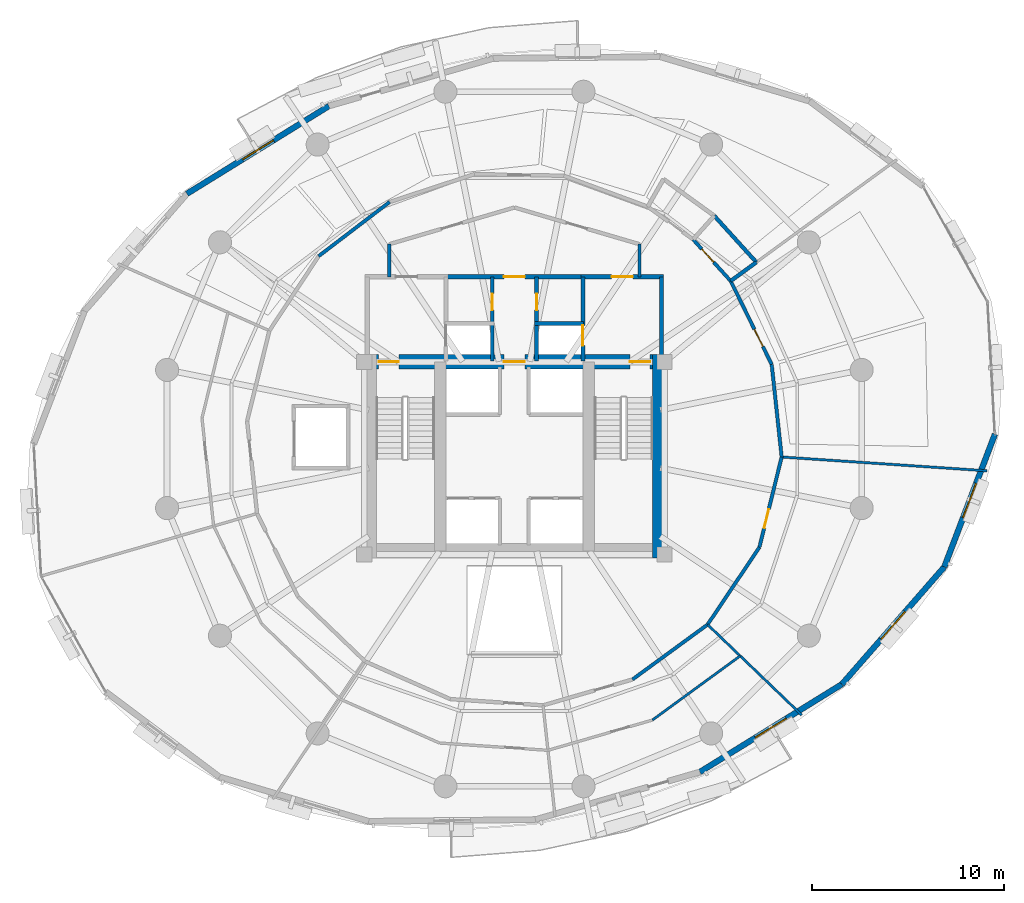
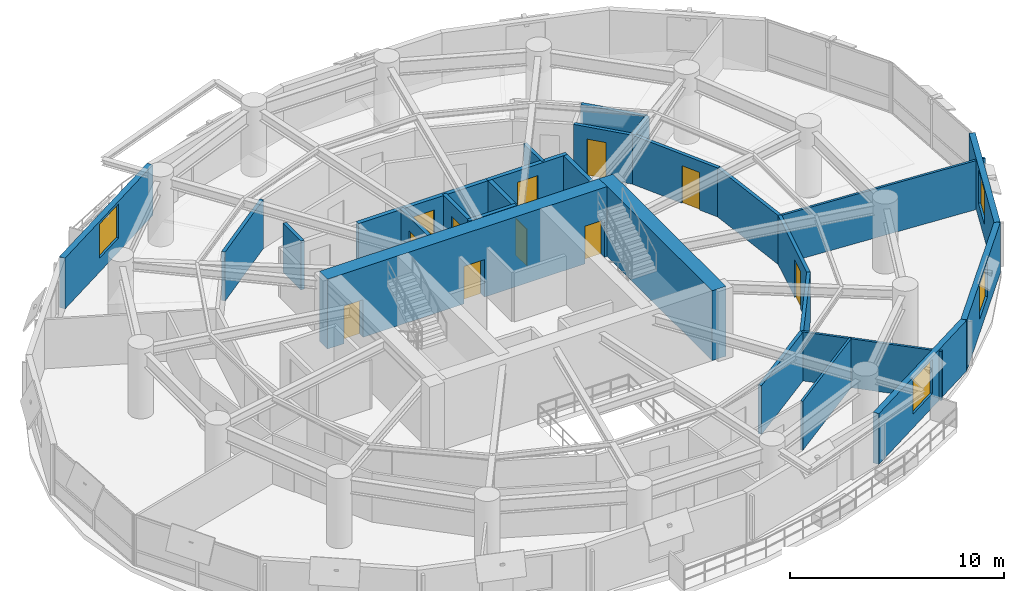
# One storey, part 11 of 15: 27 walls, 11 doors, 4 windows, 15 openings.
"""IFC4 building model written with IfcOpenShell, lengths in metres."""

from ifc_helpers import new_model, si_unit, direction, frame, frame_2d, origin, place, context, subcontext, project, spatial, rectangle, extrude, material, layer, layer_set, type_object, element, fill, save


model = new_model("IFC4")

# Units and contexts
model_context = context("Model", 3, precision=1e-05, world=origin(), true_north=direction((0.0, 1.0)))
body_context = subcontext(model_context, "Body", "Model", "MODEL_VIEW")
ifc_project = project(units=[si_unit("LENGTHUNIT", "METRE"), si_unit("AREAUNIT", "SQUARE_METRE"), si_unit("VOLUMEUNIT", "CUBIC_METRE"), si_unit("PLANEANGLEUNIT", "RADIAN"), si_unit("MASSUNIT", "GRAM", prefix="KILO"), si_unit("THERMODYNAMICTEMPERATUREUNIT", "KELVIN"), si_unit("POWERUNIT", "WATT")], contexts=[model_context])

# Site, building, storey
site_placement = place(None, origin())
site = spatial("IfcSite", under=ifc_project, at=site_placement, CompositionType="ELEMENT")
building_placement = place(site_placement, origin())
building = spatial("IfcBuilding", under=site, at=building_placement, Name="Ocrelia Relay Tower", CompositionType="ELEMENT")
storey_placement = place(building_placement, frame((0.0, 0.0, 101.800048828125)))
storey = spatial("IfcBuildingStorey", under=building, at=storey_placement, Name="L23", CompositionType="ELEMENT", Elevation=101.800048828125)

# Wall, openings, doors
ifc_material_1 = material(Name="Concrete C60/75", Category="concrete")
ifc_layer_1 = layer(ifc_material_1, 0.75, Name="Concrete C60/75")
ifc_layer_set_1 = layer_set([ifc_layer_1], Name="Concrete C60/75")
wall_type_1 = type_object("IfcWallType", Name="CW-CORE-750", PredefinedType="SHEAR", material=ifc_layer_set_1)
wall_1_placement = place(storey_placement, frame((26.072021484375, 30.012939453125, 0.0), z_axis=(0.0, 0.0, 1.0), x_axis=(1.0, 0.0, 0.0)))
wall_1 = element("IfcWall", 1, at=wall_1_placement, inside=storey, type_object=wall_type_1, Name="L23 Core Shear Wall N", PredefinedType="SHEAR", context=body_context, shape_type="SweptSolid", body=[
    extrude(rectangle(XDim=15.865966796875, YDim=0.75, at=frame_2d((7.93310546875, 0.0))), origin(), (0.0, 0.0, 1.0), 4.0),
])
opening_1_placement = place(wall_1_placement, frame((0.8779296875, 0.0, 0.0)))
opening_1 = element("IfcOpeningElement", 2, at=opening_1_placement, cuts=wall_1, Name="Opening D-FD90", PredefinedType="OPENING", context=body_context, shape_type="SweptSolid", body=[
    extrude(rectangle(XDim=1.050048828125, YDim=2.14990234375, at=frame_2d((0.52490234375, 1.074951171875))), frame((0.0, 0.385009765625, 0.0), z_axis=(0.0, -1.0, 0.0), x_axis=(1.0, 0.0, 0.0)), (0.0, 0.0, 1.0), 0.77001953125),
])
opening_2_placement = place(wall_1_placement, frame((13.927978515625, 0.0, 0.0)))
opening_2 = element("IfcOpeningElement", 3, at=opening_2_placement, cuts=wall_1, Name="Opening D-FD90", PredefinedType="OPENING", context=body_context, shape_type="SweptSolid", body=[
    extrude(rectangle(XDim=1.050048828125, YDim=2.14990234375, at=frame_2d((0.52490234375, 1.074951171875))), frame((0.0, 0.385009765625, 0.0), z_axis=(0.0, -1.0, 0.0), x_axis=(1.0, 0.0, 0.0)), (0.0, 0.0, 1.0), 0.77001953125),
])
opening_3_placement = place(wall_1_placement, frame((7.3779296875, 0.0, 0.0)))
opening_3 = element("IfcOpeningElement", 4, at=opening_3_placement, cuts=wall_1, Name="Opening D-FD60", PredefinedType="OPENING", context=body_context, shape_type="SweptSolid", body=[
    extrude(rectangle(XDim=1.10009765625, YDim=2.14990234375, at=frame_2d((0.550048828125, 1.074951171875))), frame((0.0, 0.385009765625, 0.0), z_axis=(0.0, -1.0, 0.0), x_axis=(1.0, 0.0, 0.0)), (0.0, 0.0, 1.0), 0.77001953125),
])
ifc_material_2 = material(Name="Timber-core 60-min acoustic fire door", Category="wood")
door_type_1 = type_object("IfcDoorType", Name="DR-LOBBY-FD60-1100", OperationType="NOTDEFINED", PredefinedType="DOOR", material=ifc_material_2)
door_1_placement = place(opening_3_placement, origin())
door_1 = element("IfcDoor", 5, at=door_1_placement, inside=storey, type_object=door_type_1, Name="L23 Core Lift Lobby North Fire Door", OperationType="SINGLE_SWING_LEFT", OverallHeight=2.14990234375, OverallWidth=1.10009765625, PredefinedType="DOOR", context=body_context, shape_type="SweptSolid", body=[
    extrude(rectangle(XDim=1.10009765625, YDim=2.14990234375, at=frame_2d((0.550048828125, 1.074951171875))), frame((0.0, 0.02490234375, 0.0), z_axis=(0.0, -1.0, 0.0), x_axis=(1.0, 0.0, 0.0)), (0.0, 0.0, 1.0), 0.050048828125),
])
fill(opening_3, door_1)
ifc_material_3 = material(Name="Steel S355 90-min fire door", Category="steel")
door_type_2 = type_object("IfcDoorType", Name="DR-STAIR-FD90-1050", OperationType="NOTDEFINED", PredefinedType="DOOR", material=ifc_material_3)
door_2_placement = place(opening_1_placement, origin())
door_2 = element("IfcDoor", 6, at=door_2_placement, inside=storey, type_object=door_type_2, Name="L23 Stair ST1 Fire Door", OperationType="SINGLE_SWING_LEFT", OverallHeight=2.14990234375, OverallWidth=1.050048828125, PredefinedType="DOOR", context=body_context, shape_type="SweptSolid", body=[
    extrude(rectangle(XDim=1.050048828125, YDim=2.14990234375, at=frame_2d((0.52490234375, 1.074951171875))), frame((0.0, 0.02490234375, 0.0), z_axis=(0.0, -1.0, 0.0), x_axis=(1.0, 0.0, 0.0)), (0.0, 0.0, 1.0), 0.050048828125),
])
fill(opening_1, door_2)
door_3_placement = place(opening_2_placement, origin())
door_3 = element("IfcDoor", 7, at=door_3_placement, inside=storey, type_object=door_type_2, Name="L23 Stair ST2 Fire Door", OperationType="SINGLE_SWING_RIGHT", OverallHeight=2.14990234375, OverallWidth=1.050048828125, PredefinedType="DOOR", context=body_context, shape_type="SweptSolid", body=[
    extrude(rectangle(XDim=1.050048828125, YDim=2.14990234375, at=frame_2d((0.52490234375, 1.074951171875))), frame((0.0, 0.02490234375, 0.0), z_axis=(0.0, -1.0, 0.0), x_axis=(1.0, 0.0, 0.0)), (0.0, 0.0, 1.0), 0.050048828125),
])
fill(opening_2, door_3)

# Walls
wall_2_placement = place(storey_placement, frame((41.56298828125, 19.81201171875, 0.0), z_axis=(0.0, 0.0, 1.0), x_axis=(0.0, 1.0, 0.0)))
element("IfcWall", 8, at=wall_2_placement, inside=storey, type_object=wall_type_1, Name="L23 Core Shear Wall E", PredefinedType="SHEAR", context=body_context, shape_type="SweptSolid", body=[
    extrude(rectangle(XDim=10.575927734375, YDim=0.75, at=frame_2d((5.2880859375, 0.0))), origin(), (0.0, 0.0, 1.0), 4.0),
])
ifc_material_4 = material(Name="Gypsum Fireboard Partition EI60", Category="gypsum")
ifc_layer_2 = layer(ifc_material_4, 0.179931640625, Name="Gypsum Fireboard Partition EI60")
ifc_layer_set_2 = layer_set([ifc_layer_2], Name="Gypsum Fireboard Partition EI60")
wall_type_2 = type_object("IfcWallType", Name="W-CORR-EI60-180", PredefinedType="PARTITIONING", material=ifc_layer_set_2)
for number, where, z_axis, x_axis, name in (
    (9, (27.5, 34.429931640625, 0.0), (0.0, 0.0, 1.0), (0.0, 1.0, 0.0), "L23 Smoke Lobby West Return"),
    (10, (40.5, 36.122802734375, 0.0), (0.0, 0.0, 1.0), (0.0, -1.0, 0.0), "L23 Smoke Lobby East Return"),
):
    element("IfcWall", number, at=place(storey_placement, frame(where, z_axis=z_axis, x_axis=x_axis)), inside=storey, type_object=wall_type_2, Name=name, PredefinedType="PARTITIONING", context=body_context, shape_type="SweptSolid", body=[
        extrude(rectangle(XDim=1.69287109375, YDim=0.179931640625, at=frame_2d((0.846435546875, 0.0))), origin(), (0.0, 0.0, 1.0), 2.800048828125),
    ])

# Wall, opening, door
wall_3_placement = place(storey_placement, frame((45.239990234375, 34.21142578125, 0.0), z_axis=(0.0, 0.0, 1.0), x_axis=(-0.671080261141, 0.741384706551, 0.0)))
wall_3 = element("IfcWall", 11, at=wall_3_placement, inside=storey, type_object=wall_type_2, Name="L23 Staff Toilet Corridor Wall", PredefinedType="PARTITIONING", context=body_context, shape_type="SweptSolid", body=[
    extrude(rectangle(XDim=2.91015625, YDim=0.179931640625, at=frame_2d((1.455078125, 0.0))), origin(), (0.0, 0.0, 1.0), 2.800048828125),
])
opening_4_placement = place(wall_3_placement, frame((1.321044921875, 0.0, 0.0)))
opening_4 = element("IfcOpeningElement", 12, at=opening_4_placement, cuts=wall_3, Name="Opening D-WC92", PredefinedType="OPENING", context=body_context, shape_type="SweptSolid", body=[
    extrude(rectangle(XDim=0.919921875, YDim=2.10009765625, at=frame_2d((0.4599609375, 1.050048828125))), frame((0.0, 0.10009765625, 0.0), z_axis=(0.0, -1.0, 0.0), x_axis=(1.0, 0.0, 0.0)), (0.0, 0.0, 1.0), 0.199951171875),
])
ifc_material_5 = material(Name="Laminate washroom door", Category="wood")
door_type_3 = type_object("IfcDoorType", Name="DR-WC-920", OperationType="NOTDEFINED", PredefinedType="DOOR", material=ifc_material_5)
door_4_placement = place(opening_4_placement, origin())
door_4 = element("IfcDoor", 13, at=door_4_placement, inside=storey, type_object=door_type_3, Name="L23 Staff Toilet Door", OperationType="SINGLE_SWING_LEFT", OverallHeight=2.10009765625, OverallWidth=0.919921875, PredefinedType="DOOR", context=body_context, shape_type="SweptSolid", body=[
    extrude(rectangle(XDim=0.919921875, YDim=2.10009765625, at=frame_2d((0.4599609375, 1.050048828125))), frame((0.0, 0.02490234375, 0.0), z_axis=(0.0, -1.0, 0.0), x_axis=(1.0, 0.0, 0.0)), (0.0, 0.0, 1.0), 0.050048828125),
])
fill(opening_4, door_4)

# Walls
wall_4_placement = place(storey_placement, frame((27.5185546875, 38.319091796875, 0.0), z_axis=(0.0, 0.0, 1.0), x_axis=(-0.794917208814, -0.606717917265, 0.0)))
element("IfcWall", 14, at=wall_4_placement, inside=storey, type_object=wall_type_2, Name="L23 Optical Switching Hall A Corridor Partition 4", PredefinedType="PARTITIONING", context=body_context, shape_type="SweptSolid", body=[
    extrude(rectangle(XDim=4.642822265625, YDim=0.179931640625, at=frame_2d((2.3212890625, 0.0))), origin(), (0.0, 0.0, 1.0), 2.800048828125),
])
for number, where, z_axis, x_axis, name in (
    (15, (40.135009765625, 13.5048828125, 0.0), (0.0, 0.0, 1.0), (0.807469765086, 0.589908957782, 0.0), "L23 Protocol Testing Lab Corridor Partition 2"),
    (16, (44.03857421875, 16.356689453125, 0.0), (0.0, 0.0, 1.0), (0.556994013801, 0.830516507114, 0.0), "L23 Fiber Patch Store Corridor Partition 1"),
):
    element("IfcWall", number, at=place(storey_placement, frame(where, z_axis=z_axis, x_axis=x_axis)), inside=storey, type_object=wall_type_2, Name=name, PredefinedType="PARTITIONING", context=body_context, shape_type="SweptSolid", body=[
        extrude(rectangle(XDim=4.834228515625, YDim=0.179931640625, at=frame_2d((2.4169921875, 0.0))), origin(), (0.0, 0.0, 1.0), 2.800048828125),
    ])

# Wall, opening, door
wall_5_placement = place(storey_placement, frame((46.731201171875, 20.37158203125, 0.0), z_axis=(0.0, 0.0, 1.0), x_axis=(0.239432930516, 0.970912906385, 0.0)))
wall_5 = element("IfcWall", 17, at=wall_5_placement, inside=storey, type_object=wall_type_2, Name="L23 Fiber Patch Store Corridor Partition 2", PredefinedType="PARTITIONING", context=body_context, shape_type="SweptSolid", body=[
    extrude(rectangle(XDim=4.834228515625, YDim=0.179931640625, at=frame_2d((2.4169921875, 0.0))), origin(), (0.0, 0.0, 1.0), 2.800048828125),
])
opening_5_placement = place(wall_5_placement, frame((1.03369140625, 0.0, 0.0)))
opening_5 = element("IfcOpeningElement", 18, at=opening_5_placement, cuts=wall_5, Name="Opening D-RM100", PredefinedType="OPENING", context=body_context, shape_type="SweptSolid", body=[
    extrude(rectangle(XDim=1.0, YDim=2.14990234375, at=frame_2d((0.5, 1.074951171875))), frame((0.0, 0.10009765625, 0.0), z_axis=(0.0, -1.0, 0.0), x_axis=(1.0, 0.0, 0.0)), (0.0, 0.0, 1.0), 0.199951171875),
])
ifc_material_6 = material(Name="Acoustic oak veneer fire door", Category="wood")
door_type_4 = type_object("IfcDoorType", Name="DR-ROOM-FD60-1000", OperationType="NOTDEFINED", PredefinedType="DOOR", material=ifc_material_6)
door_5_placement = place(opening_5_placement, origin())
door_5 = element("IfcDoor", 19, at=door_5_placement, inside=storey, type_object=door_type_4, Name="L23 Fiber Patch Store Entrance Door", OperationType="SINGLE_SWING_RIGHT", OverallHeight=2.14990234375, OverallWidth=1.0, PredefinedType="DOOR", context=body_context, shape_type="SweptSolid", body=[
    extrude(rectangle(XDim=1.0, YDim=2.14990234375, at=frame_2d((0.5, 1.074951171875))), frame((0.0, 0.02490234375, 0.0), z_axis=(0.0, -1.0, 0.0), x_axis=(1.0, 0.0, 0.0)), (0.0, 0.0, 1.0), 0.050048828125),
])
fill(opening_5, door_5)

# Wall
wall_6_placement = place(storey_placement, frame((47.888671875, 25.065185546875, 0.0), z_axis=(0.0, 0.0, 1.0), x_axis=(-0.107160752917, 0.994241707551, 0.0)))
element("IfcWall", 20, at=wall_6_placement, inside=storey, type_object=wall_type_2, Name="L23 Optical Telemetry Studio Corridor Partition 1", PredefinedType="PARTITIONING", context=body_context, shape_type="SweptSolid", body=[
    extrude(rectangle(XDim=4.83447265625, YDim=0.179931640625, at=frame_2d((2.417236328125, 0.0))), origin(), (0.0, 0.0, 1.0), 2.800048828125),
])

# Wall, opening, door
wall_7_placement = place(storey_placement, frame((47.37060546875, 29.871826171875, 0.0), z_axis=(0.0, 0.0, 1.0), x_axis=(-0.44071758316, 0.897645816508, 0.0)))
wall_7 = element("IfcWall", 21, at=wall_7_placement, inside=storey, type_object=wall_type_2, Name="L23 Optical Telemetry Studio Corridor Partition 2", PredefinedType="PARTITIONING", context=body_context, shape_type="SweptSolid", body=[
    extrude(rectangle(XDim=4.83447265625, YDim=0.179931640625, at=frame_2d((2.417236328125, 0.0))), origin(), (0.0, 0.0, 1.0), 2.800048828125),
])
opening_6_placement = place(wall_7_placement, frame((1.03369140625, 0.0, 0.0)))
opening_6 = element("IfcOpeningElement", 22, at=opening_6_placement, cuts=wall_7, Name="Opening D-RM100", PredefinedType="OPENING", context=body_context, shape_type="SweptSolid", body=[
    extrude(rectangle(XDim=1.0, YDim=2.14990234375, at=frame_2d((0.5, 1.074951171875))), frame((0.0, 0.10009765625, 0.0), z_axis=(0.0, -1.0, 0.0), x_axis=(1.0, 0.0, 0.0)), (0.0, 0.0, 1.0), 0.199951171875),
])
door_6_placement = place(opening_6_placement, origin())
door_6 = element("IfcDoor", 23, at=door_6_placement, inside=storey, type_object=door_type_4, Name="L23 Optical Telemetry Studio Entrance Door", OperationType="SINGLE_SWING_LEFT", OverallHeight=2.14990234375, OverallWidth=1.0, PredefinedType="DOOR", context=body_context, shape_type="SweptSolid", body=[
    extrude(rectangle(XDim=1.0, YDim=2.14990234375, at=frame_2d((0.5, 1.074951171875))), frame((0.0, 0.02490234375, 0.0), z_axis=(0.0, -1.0, 0.0), x_axis=(1.0, 0.0, 0.0)), (0.0, 0.0, 1.0), 0.050048828125),
])
fill(opening_6, door_6)

# Wall, opening, window
ifc_material_7 = material(Name="Precast concrete C40/50 with oxide terracotta", Category="masonry")
ifc_layer_3 = layer(ifc_material_7, 0.300048828125, Name="Precast concrete C40/50 with oxide terracotta")
ifc_layer_set_3 = layer_set([ifc_layer_3], Name="Precast concrete C40/50 with oxide terracotta")
wall_type_3 = type_object("IfcWallType", Name="W-EXT-TERR-300", PredefinedType="SOLIDWALL", material=ifc_layer_set_3)
wall_8_placement = place(storey_placement, frame((24.361083984375, 43.303955078125, 0.0), z_axis=(0.0, 0.0, 1.0), x_axis=(-0.850622495696, -0.5257769202, 0.0)))
wall_8 = element("IfcWall", 24, at=wall_8_placement, inside=storey, type_object=wall_type_3, Name="L23 Oxide Terracotta Facade Wall 06", PredefinedType="SOLIDWALL", context=body_context, shape_type="SweptSolid", body=[
    extrude(rectangle(XDim=8.673095703125, YDim=0.300048828125, at=frame_2d((4.33642578125, 0.0))), origin(), (0.0, 0.0, 1.0), 2.89990234375),
])
opening_7_placement = place(wall_8_placement, frame((3.385986328125, 0.0, 0.800048828125)))
opening_7 = element("IfcOpeningElement", 25, at=opening_7_placement, cuts=wall_8, Name="Opening W-06", PredefinedType="OPENING", context=body_context, shape_type="SweptSolid", body=[
    extrude(rectangle(XDim=1.89990234375, YDim=1.949951171875, at=frame_2d((0.949951171875, 0.97509765625))), frame((0.0, 0.16015625, 0.0), z_axis=(0.0, -1.0, 0.0), x_axis=(1.0, 0.0, 0.0)), (0.0, 0.0, 1.0), 0.320068359375),
])
ifc_material_8 = material(Name="Clear double-glazed low-E glass", Category="glass")
window_type = type_object("IfcWindowType", Name="WIN-Z2-1900x2100", PartitioningType="DOUBLE_PANEL_VERTICAL", PredefinedType="WINDOW", material=ifc_material_8)
window_1_placement = place(opening_7_placement, origin())
window_1 = element("IfcWindow", 26, at=window_1_placement, inside=storey, type_object=window_type, Name="L23 Facade Module Window 06", OverallHeight=1.949951171875, OverallWidth=1.89990234375, PartitioningType="SINGLE_PANEL", PredefinedType="WINDOW", context=body_context, shape_type="SweptSolid", body=[
    extrude(rectangle(XDim=1.89990234375, YDim=1.949951171875, at=frame_2d((0.949951171875, 0.97509765625))), frame((0.0, 0.030029296875, 0.0), z_axis=(0.0, -1.0, 0.0), x_axis=(1.0, 0.0, 0.0)), (0.0, 0.0, 1.0), 0.06005859375),
])
fill(opening_7, window_1)

wall_9_placement = place(storey_placement, frame((43.638916015625, 8.696044921875, 0.0), z_axis=(0.0, 0.0, 1.0), x_axis=(0.850622495696, 0.5257769202, 0.0)))
wall_9 = element("IfcWall", 27, at=wall_9_placement, inside=storey, type_object=wall_type_3, Name="L23 Oxide Terracotta Facade Wall 15", PredefinedType="SOLIDWALL", context=body_context, shape_type="SweptSolid", body=[
    extrude(rectangle(XDim=8.673095703125, YDim=0.300048828125, at=frame_2d((4.33642578125, 0.0))), origin(), (0.0, 0.0, 1.0), 2.89990234375),
])
opening_8_placement = place(wall_9_placement, frame((3.385986328125, 0.0, 0.800048828125)))
opening_8 = element("IfcOpeningElement", 28, at=opening_8_placement, cuts=wall_9, Name="Opening W-06", PredefinedType="OPENING", context=body_context, shape_type="SweptSolid", body=[
    extrude(rectangle(XDim=1.89990234375, YDim=1.949951171875, at=frame_2d((0.949951171875, 0.97509765625))), frame((0.0, 0.16015625, 0.0), z_axis=(0.0, -1.0, 0.0), x_axis=(1.0, 0.0, 0.0)), (0.0, 0.0, 1.0), 0.320068359375),
])
window_2_placement = place(opening_8_placement, origin())
window_2 = element("IfcWindow", 29, at=window_2_placement, inside=storey, type_object=window_type, Name="L23 Facade Module Window 15", OverallHeight=1.949951171875, OverallWidth=1.89990234375, PartitioningType="SINGLE_PANEL", PredefinedType="WINDOW", context=body_context, shape_type="SweptSolid", body=[
    extrude(rectangle(XDim=1.89990234375, YDim=1.949951171875, at=frame_2d((0.949951171875, 0.97509765625))), frame((0.0, 0.030029296875, 0.0), z_axis=(0.0, -1.0, 0.0), x_axis=(1.0, 0.0, 0.0)), (0.0, 0.0, 1.0), 0.06005859375),
])
fill(opening_8, window_2)

wall_10_placement = place(storey_placement, frame((51.016357421875, 13.256103515625, 0.0), z_axis=(0.0, 0.0, 1.0), x_axis=(0.657799717716, 0.753192891212, 0.0)))
wall_10 = element("IfcWall", 30, at=wall_10_placement, inside=storey, type_object=wall_type_3, Name="L23 Oxide Terracotta Facade Wall 16", PredefinedType="SOLIDWALL", context=body_context, shape_type="SweptSolid", body=[
    extrude(rectangle(XDim=8.09521484375, YDim=0.300048828125, at=frame_2d((4.047607421875, 0.0))), origin(), (0.0, 0.0, 1.0), 2.89990234375),
])
opening_9_placement = place(wall_10_placement, frame((3.097900390625, 0.0, 0.800048828125)))
opening_9 = element("IfcOpeningElement", 31, at=opening_9_placement, cuts=wall_10, Name="Opening W-06", PredefinedType="OPENING", context=body_context, shape_type="SweptSolid", body=[
    extrude(rectangle(XDim=1.89990234375, YDim=1.949951171875, at=frame_2d((0.949951171875, 0.97509765625))), frame((0.0, 0.16015625, 0.0), z_axis=(0.0, -1.0, 0.0), x_axis=(1.0, 0.0, 0.0)), (0.0, 0.0, 1.0), 0.320068359375),
])
window_3_placement = place(opening_9_placement, origin())
window_3 = element("IfcWindow", 32, at=window_3_placement, inside=storey, type_object=window_type, Name="L23 Facade Module Window 16", OverallHeight=1.949951171875, OverallWidth=1.89990234375, PartitioningType="SINGLE_PANEL", PredefinedType="WINDOW", context=body_context, shape_type="SweptSolid", body=[
    extrude(rectangle(XDim=1.89990234375, YDim=1.949951171875, at=frame_2d((0.949951171875, 0.97509765625))), frame((0.0, 0.030029296875, 0.0), z_axis=(0.0, -1.0, 0.0), x_axis=(1.0, 0.0, 0.0)), (0.0, 0.0, 1.0), 0.06005859375),
])
fill(opening_9, window_3)

wall_11_placement = place(storey_placement, frame((56.34130859375, 19.353271484375, 0.0), z_axis=(0.0, 0.0, 1.0), x_axis=(0.356227700277, 0.934399178914, 0.0)))
wall_11 = element("IfcWall", 33, at=wall_11_placement, inside=storey, type_object=wall_type_3, Name="L23 Oxide Terracotta Facade Wall 17", PredefinedType="SOLIDWALL", context=body_context, shape_type="SweptSolid", body=[
    extrude(rectangle(XDim=7.38330078125, YDim=0.300048828125, at=frame_2d((3.691650390625, 0.0))), origin(), (0.0, 0.0, 1.0), 2.89990234375),
])
opening_10_placement = place(wall_11_placement, frame((2.741943359375, 0.0, 0.800048828125)))
opening_10 = element("IfcOpeningElement", 34, at=opening_10_placement, cuts=wall_11, Name="Opening W-06", PredefinedType="OPENING", context=body_context, shape_type="SweptSolid", body=[
    extrude(rectangle(XDim=1.89990234375, YDim=1.949951171875, at=frame_2d((0.949951171875, 0.97509765625))), frame((0.0, 0.16015625, 0.0), z_axis=(0.0, -1.0, 0.0), x_axis=(1.0, 0.0, 0.0)), (0.0, 0.0, 1.0), 0.320068359375),
])
window_4_placement = place(opening_10_placement, origin())
window_4 = element("IfcWindow", 35, at=window_4_placement, inside=storey, type_object=window_type, Name="L23 Facade Module Window 17", OverallHeight=1.949951171875, OverallWidth=1.89990234375, PartitioningType="SINGLE_PANEL", PredefinedType="WINDOW", context=body_context, shape_type="SweptSolid", body=[
    extrude(rectangle(XDim=1.89990234375, YDim=1.949951171875, at=frame_2d((0.949951171875, 0.97509765625))), frame((0.0, 0.030029296875, 0.0), z_axis=(0.0, -1.0, 0.0), x_axis=(1.0, 0.0, 0.0)), (0.0, 0.0, 1.0), 0.06005859375),
])
fill(opening_10, window_4)

# Wall, opening, door
ifc_material_9 = material(Name="Concrete C50/60", Category="concrete")
ifc_layer_4 = layer(ifc_material_9, 0.219970703125, Name="Concrete C50/60")
ifc_layer_set_4 = layer_set([ifc_layer_4], Name="Concrete C50/60")
wall_type_4 = type_object("IfcWallType", Name="W-FFL-EI120-220", PredefinedType="SOLIDWALL", material=ifc_layer_set_4)
wall_12_placement = place(storey_placement, frame((37.56005859375, 30.050048828125, 0.0), z_axis=(0.0, 0.0, 1.0), x_axis=(0.0, 1.0, 0.0)))
wall_12 = element("IfcWall", 36, at=wall_12_placement, inside=storey, type_object=wall_type_4, Name="L23 E Fire Service Lift Lobby West Wall", PredefinedType="SOLIDWALL", context=body_context, shape_type="SweptSolid", body=[
    extrude(rectangle(XDim=4.3798828125, YDim=0.219970703125, at=frame_2d((2.18994140625, 0.0))), origin(), (0.0, 0.0, 1.0), 2.800048828125),
])
opening_11_placement = place(wall_12_placement, frame((0.800048828125, 0.0, 0.0)))
opening_11 = element("IfcOpeningElement", 37, at=opening_11_placement, cuts=wall_12, Name="Opening LD-FFL2", PredefinedType="OPENING", context=body_context, shape_type="SweptSolid", body=[
    extrude(rectangle(XDim=1.050048828125, YDim=2.10009765625, at=frame_2d((0.52490234375, 1.050048828125))), frame((0.0, 0.1201171875, 0.0), z_axis=(0.0, -1.0, 0.0), x_axis=(1.0, 0.0, 0.0)), (0.0, 0.0, 1.0), 0.239990234375),
])
ifc_material_10 = material(Name="Brushed stainless steel S355 lift landing door", Category="steel")
door_type_5 = type_object("IfcDoorType", Name="DR-LIFT-LAND-1050", OperationType="DOUBLE_DOOR_SLIDING", PredefinedType="USERDEFINED", material=ifc_material_10)
door_7_placement = place(opening_11_placement, origin())
door_7 = element("IfcDoor", 38, at=door_7_placement, inside=storey, type_object=door_type_5, Name="L23 Firefighting Lift FFL2 Sliding Landing Door", ObjectType="LANDING DOOR", OperationType="DOUBLE_DOOR_SLIDING", OverallHeight=2.10009765625, OverallWidth=1.050048828125, PredefinedType="USERDEFINED", context=body_context, shape_type="SweptSolid", body=[
    extrude(rectangle(XDim=1.050048828125, YDim=2.10009765625, at=frame_2d((0.52490234375, 1.050048828125))), frame((0.0, 0.02490234375, 0.0), z_axis=(0.0, -1.0, 0.0), x_axis=(1.0, 0.0, 0.0)), (0.0, 0.0, 1.0), 0.050048828125),
])
fill(opening_11, door_7)

# Wall
wall_13_placement = place(storey_placement, frame((41.64990234375, 30.050048828125, 0.0), z_axis=(0.0, 0.0, 1.0), x_axis=(0.0, 1.0, 0.0)))
element("IfcWall", 39, at=wall_13_placement, inside=storey, type_object=wall_type_4, Name="L23 E Fire Service Lift Lobby East Wall", PredefinedType="SOLIDWALL", context=body_context, shape_type="SweptSolid", body=[
    extrude(rectangle(XDim=4.3798828125, YDim=0.219970703125, at=frame_2d((2.18994140625, 0.0))), origin(), (0.0, 0.0, 1.0), 2.800048828125),
])

# Wall, opening, door
wall_14_placement = place(storey_placement, frame((37.449951171875, 34.429931640625, 0.0), z_axis=(0.0, 0.0, 1.0), x_axis=(1.0, 0.0, 0.0)))
wall_14 = element("IfcWall", 40, at=wall_14_placement, inside=storey, type_object=wall_type_4, Name="L23 E Fire Service Lift Lobby North Wall", PredefinedType="SOLIDWALL", context=body_context, shape_type="SweptSolid", body=[
    extrude(rectangle(XDim=4.31005859375, YDim=0.219970703125, at=frame_2d((2.155029296875, 0.0))), origin(), (0.0, 0.0, 1.0), 2.800048828125),
])
opening_12_placement = place(wall_14_placement, frame((1.60009765625, 0.0, 0.0)))
opening_12 = element("IfcOpeningElement", 41, at=opening_12_placement, cuts=wall_14, Name="Opening D-FD60", PredefinedType="OPENING", context=body_context, shape_type="SweptSolid", body=[
    extrude(rectangle(XDim=1.10009765625, YDim=2.14990234375, at=frame_2d((0.550048828125, 1.074951171875))), frame((0.0, 0.1201171875, 0.0), z_axis=(0.0, -1.0, 0.0), x_axis=(1.0, 0.0, 0.0)), (0.0, 0.0, 1.0), 0.239990234375),
])
door_8_placement = place(opening_12_placement, origin())
door_8 = element("IfcDoor", 42, at=door_8_placement, inside=storey, type_object=door_type_1, Name="L23 E Fire Service Lift Lobby Exit Door", OperationType="SINGLE_SWING_RIGHT", OverallHeight=2.14990234375, OverallWidth=1.10009765625, PredefinedType="DOOR", context=body_context, shape_type="SweptSolid", body=[
    extrude(rectangle(XDim=1.10009765625, YDim=2.14990234375, at=frame_2d((0.550048828125, 1.074951171875))), frame((0.0, 0.02490234375, 0.0), z_axis=(0.0, -1.0, 0.0), x_axis=(1.0, 0.0, 0.0)), (0.0, 0.0, 1.0), 0.050048828125),
])
fill(opening_12, door_8)

wall_15_placement = place(storey_placement, frame((30.43994140625, 34.429931640625, 0.0), z_axis=(0.0, 0.0, 1.0), x_axis=(1.0, 0.0, 0.0)))
wall_15 = element("IfcWall", 43, at=wall_15_placement, inside=storey, type_object=wall_type_4, Name="L23 North Core Vestibule Wall", PredefinedType="SOLIDWALL", context=body_context, shape_type="SweptSolid", body=[
    extrude(rectangle(XDim=7.1201171875, YDim=0.219970703125, at=frame_2d((3.56005859375, 0.0))), origin(), (0.0, 0.0, 1.0), 2.800048828125),
])
opening_13_placement = place(wall_15_placement, frame((3.010009765625, 0.0, 0.0)))
opening_13 = element("IfcOpeningElement", 44, at=opening_13_placement, cuts=wall_15, Name="Opening D-FD60", PredefinedType="OPENING", context=body_context, shape_type="SweptSolid", body=[
    extrude(rectangle(XDim=1.10009765625, YDim=2.14990234375, at=frame_2d((0.550048828125, 1.074951171875))), frame((0.0, 0.1201171875, 0.0), z_axis=(0.0, -1.0, 0.0), x_axis=(1.0, 0.0, 0.0)), (0.0, 0.0, 1.0), 0.239990234375),
])
door_9_placement = place(opening_13_placement, origin())
door_9 = element("IfcDoor", 45, at=door_9_placement, inside=storey, type_object=door_type_1, Name="L23 North Core Vestibule Corridor Door", OperationType="SINGLE_SWING_RIGHT", OverallHeight=2.14990234375, OverallWidth=1.10009765625, PredefinedType="DOOR", context=body_context, shape_type="SweptSolid", body=[
    extrude(rectangle(XDim=1.10009765625, YDim=2.14990234375, at=frame_2d((0.550048828125, 1.074951171875))), frame((0.0, 0.02490234375, 0.0), z_axis=(0.0, -1.0, 0.0), x_axis=(1.0, 0.0, 0.0)), (0.0, 0.0, 1.0), 0.050048828125),
])
fill(opening_13, door_9)

# Walls
ifc_material_11 = material(Name="Acoustic Fireboard Partition EI60", Category="gypsum")
ifc_layer_5 = layer(ifc_material_11, 0.125, Name="Acoustic Fireboard Partition EI60")
ifc_layer_set_5 = layer_set([ifc_layer_5], Name="Acoustic Fireboard Partition EI60")
wall_type_5 = type_object("IfcWallType", Name="W-PART-125", PredefinedType="PARTITIONING", material=ifc_layer_set_5)
wall_16_placement = place(storey_placement, frame((44.03857421875, 16.356689453125, 0.0), z_axis=(0.0, 0.0, 1.0), x_axis=(0.721151976703, -0.692776895181, 0.0)))
element("IfcWall", 46, at=wall_16_placement, inside=storey, type_object=wall_type_5, Name="L23 Protocol Testing Lab Radial Partition", PredefinedType="PARTITIONING", context=body_context, shape_type="SweptSolid", body=[
    extrude(rectangle(XDim=6.780029296875, YDim=0.125, at=frame_2d((3.39013671875, 0.0))), origin(), (0.0, 0.0, 1.0), 2.800048828125),
])
wall_17_placement = place(storey_placement, frame((41.170654296875, 11.395263671875, 0.0), z_axis=(0.0, 0.0, 1.0), x_axis=(0.807465531415, 0.589914752805, 0.0)))
element("IfcWall", 47, at=wall_17_placement, inside=storey, type_object=wall_type_5, Name="L23 Perimeter Protocol Testing Lab Mid-Ring Partition 2", PredefinedType="PARTITIONING", context=body_context, shape_type="SweptSolid", body=[
    extrude(rectangle(XDim=5.650390625, YDim=0.125, at=frame_2d((2.8251953125, 0.0))), origin(), (0.0, 0.0, 1.0), 2.800048828125),
])
wall_18_placement = place(storey_placement, frame((47.888671875, 25.065185546875, 0.0), z_axis=(0.0, 0.0, 1.0), x_axis=(0.997743814869, -0.067136278499, 0.0)))
element("IfcWall", 48, at=wall_18_placement, inside=storey, type_object=wall_type_5, Name="L23 Fiber Patch Store Radial Partition", PredefinedType="PARTITIONING", context=body_context, shape_type="SweptSolid", body=[
    extrude(rectangle(XDim=10.68408203125, YDim=0.125, at=frame_2d((5.342041015625, 0.0))), origin(), (0.0, 0.0, 1.0), 2.800048828125),
])
ifc_material_12 = material(Name="Moisture-Resistant Fireboard Chase Wall EI60", Category="gypsum")
ifc_layer_6 = layer(ifc_material_12, 0.199951171875, Name="Moisture-Resistant Fireboard Chase Wall EI60")
ifc_layer_set_6 = layer_set([ifc_layer_6], Name="Moisture-Resistant Fireboard Chase Wall EI60")
wall_type_6 = type_object("IfcWallType", Name="W-PLUMB-200", PredefinedType="PLUMBINGWALL", material=ifc_layer_set_6)
wall_19_placement = place(storey_placement, frame((45.239990234375, 34.21142578125, 0.0), z_axis=(0.0, 0.0, 1.0), x_axis=(0.807499537158, 0.58986820349, 0.0)))
element("IfcWall", 49, at=wall_19_placement, inside=storey, type_object=wall_type_6, Name="L23 Staff Toilet Plumbing Radial Wall", PredefinedType="PLUMBINGWALL", context=body_context, shape_type="SweptSolid", body=[
    extrude(rectangle(XDim=1.650146484375, YDim=0.199951171875, at=frame_2d((0.8251953125, 0.0))), origin(), (0.0, 0.0, 1.0), 2.800048828125),
])
wall_20_placement = place(storey_placement, frame((46.572509765625, 35.184814453125, 0.0), z_axis=(0.0, 0.0, 1.0), x_axis=(-0.671133255477, 0.741336734145, 0.0)))
element("IfcWall", 50, at=wall_20_placement, inside=storey, type_object=wall_type_6, Name="L23 Staff Toilet Back Plumbing Wall", PredefinedType="PLUMBINGWALL", context=body_context, shape_type="SweptSolid", body=[
    extrude(rectangle(XDim=3.255126953125, YDim=0.199951171875, at=frame_2d((1.62744140625, 0.0))), origin(), (0.0, 0.0, 1.0), 2.800048828125),
])

# Wall, opening, door
ifc_layer_7 = layer(ifc_material_9, 0.199951171875, Name="Concrete C50/60")
ifc_layer_set_7 = layer_set([ifc_layer_7], Name="Concrete C50/60")
wall_type_7 = type_object("IfcWallType", Name="W-SHAFT-EI120-200", PredefinedType="SOLIDWALL", material=ifc_layer_set_7)
wall_21_placement = place(storey_placement, frame((32.85009765625, 30.050048828125, 0.0), z_axis=(0.0, 0.0, 1.0), x_axis=(0.0, 1.0, 0.0)))
wall_21 = element("IfcWall", 51, at=wall_21_placement, inside=storey, type_object=wall_type_7, Name="L23 FFL1 and Service Vestibule Wall", PredefinedType="SOLIDWALL", context=body_context, shape_type="SweptSolid", body=[
    extrude(rectangle(XDim=4.3798828125, YDim=0.199951171875, at=frame_2d((2.18994140625, 0.0))), origin(), (0.0, 0.0, 1.0), 2.800048828125),
])
opening_14_placement = place(wall_21_placement, frame((2.64990234375, 0.0, 0.0)))
opening_14 = element("IfcOpeningElement", 52, at=opening_14_placement, cuts=wall_21, Name="Opening D-RS86", PredefinedType="OPENING", context=body_context, shape_type="SweptSolid", body=[
    extrude(rectangle(XDim=0.860107421875, YDim=2.050048828125, at=frame_2d((0.43017578125, 1.02490234375))), frame((0.0, 0.10986328125, 0.0), z_axis=(0.0, -1.0, 0.0), x_axis=(1.0, 0.0, 0.0)), (0.0, 0.0, 1.0), 0.219970703125),
])
ifc_material_13 = material(Name="Steel S355 riser access fire door", Category="steel")
door_type_6 = type_object("IfcDoorType", Name="DR-RISER-TRAP-860", OperationType="NOTDEFINED", PredefinedType="TRAPDOOR", material=ifc_material_13)
door_10_placement = place(opening_14_placement, origin())
door_10 = element("IfcDoor", 53, at=door_10_placement, inside=storey, type_object=door_type_6, Name="L23 Core Support Room W Door", OperationType="SINGLE_SWING_LEFT", OverallHeight=2.050048828125, OverallWidth=0.860107421875, PredefinedType="TRAPDOOR", context=body_context, shape_type="SweptSolid", body=[
    extrude(rectangle(XDim=0.860107421875, YDim=2.050048828125, at=frame_2d((0.43017578125, 1.02490234375))), frame((0.0, 0.02490234375, 0.0), z_axis=(0.0, -1.0, 0.0), x_axis=(1.0, 0.0, 0.0)), (0.0, 0.0, 1.0), 0.050048828125),
])
fill(opening_14, door_10)

# Wall
wall_22_placement = place(storey_placement, frame((35.050048828125, 32.0, 0.0), z_axis=(0.0, 0.0, 1.0), x_axis=(1.0, 0.0, 0.0)))
element("IfcWall", 54, at=wall_22_placement, inside=storey, type_object=wall_type_7, Name="L23 FFL2 Hoistway North Wall", PredefinedType="SOLIDWALL", context=body_context, shape_type="SweptSolid", body=[
    extrude(rectangle(XDim=2.550048828125, YDim=0.199951171875, at=frame_2d((1.27490234375, 0.0))), origin(), (0.0, 0.0, 1.0), 2.800048828125),
])

# Wall, opening, door
wall_23_placement = place(storey_placement, frame((35.14990234375, 30.050048828125, 0.0), z_axis=(0.0, 0.0, 1.0), x_axis=(0.0, 1.0, 0.0)))
wall_23 = element("IfcWall", 55, at=wall_23_placement, inside=storey, type_object=wall_type_7, Name="L23 FFL2 and Service Vestibule Wall", PredefinedType="SOLIDWALL", context=body_context, shape_type="SweptSolid", body=[
    extrude(rectangle(XDim=4.3798828125, YDim=0.199951171875, at=frame_2d((2.18994140625, 0.0))), origin(), (0.0, 0.0, 1.0), 2.800048828125),
])
opening_15_placement = place(wall_23_placement, frame((2.64990234375, 0.0, 0.0)))
opening_15 = element("IfcOpeningElement", 56, at=opening_15_placement, cuts=wall_23, Name="Opening D-RS86", PredefinedType="OPENING", context=body_context, shape_type="SweptSolid", body=[
    extrude(rectangle(XDim=0.860107421875, YDim=2.050048828125, at=frame_2d((0.43017578125, 1.02490234375))), frame((0.0, 0.10986328125, 0.0), z_axis=(0.0, -1.0, 0.0), x_axis=(1.0, 0.0, 0.0)), (0.0, 0.0, 1.0), 0.219970703125),
])
door_11_placement = place(opening_15_placement, origin())
door_11 = element("IfcDoor", 57, at=door_11_placement, inside=storey, type_object=door_type_6, Name="L23 Core Support Room E Door", OperationType="SINGLE_SWING_LEFT", OverallHeight=2.050048828125, OverallWidth=0.860107421875, PredefinedType="TRAPDOOR", context=body_context, shape_type="SweptSolid", body=[
    extrude(rectangle(XDim=0.860107421875, YDim=2.050048828125, at=frame_2d((0.43017578125, 1.02490234375))), frame((0.0, 0.02490234375, 0.0), z_axis=(0.0, -1.0, 0.0), x_axis=(1.0, 0.0, 0.0)), (0.0, 0.0, 1.0), 0.050048828125),
])
fill(opening_15, door_11)

save(model, "model.ifc")
